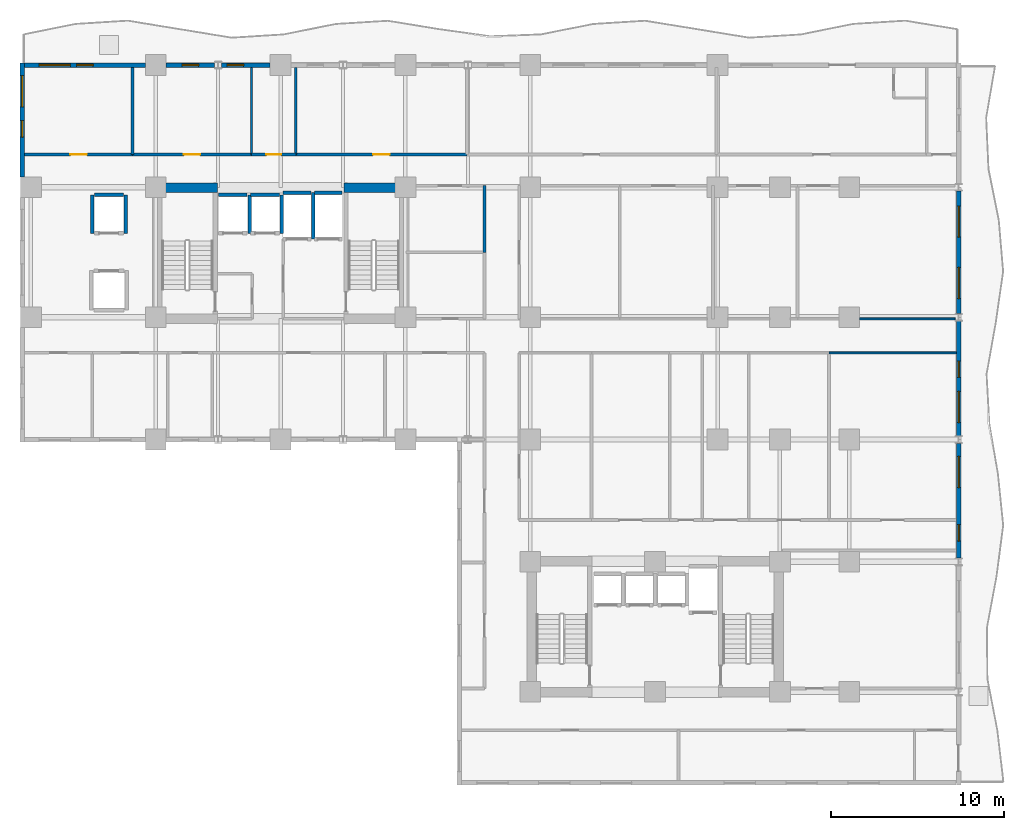
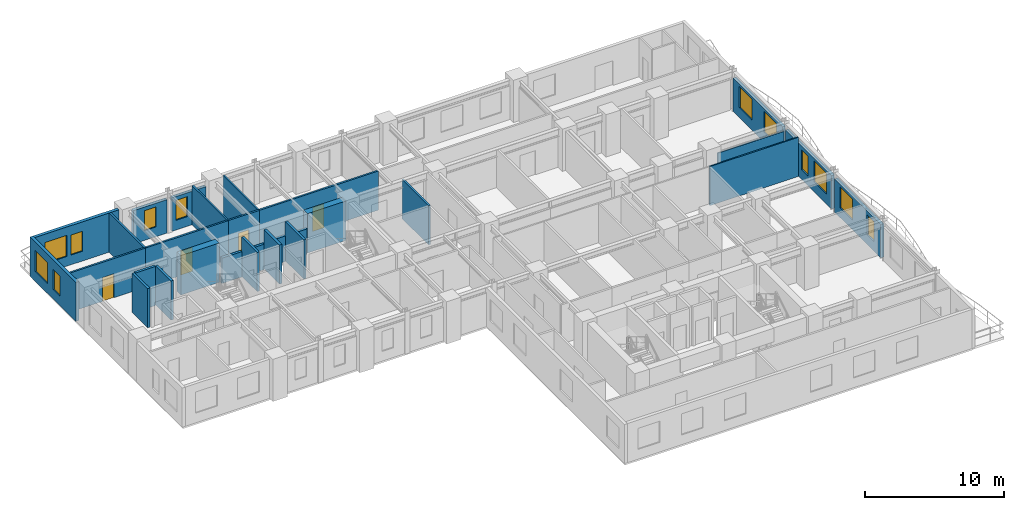
# One storey, part 6 of 11: 29 walls, 12 windows, 4 doors, 16 openings.
"""IFC4 building model written with IfcOpenShell, lengths in metres."""

from ifc_helpers import new_model, si_unit, direction, frame, frame_2d, origin, place, context, subcontext, project, spatial, rectangle, extrude, material, layer, layer_set, type_object, element, fill, save


model = new_model("IFC4")

# Units and contexts
model_context = context("Model", 3, precision=1e-05, world=origin(), true_north=direction((0.0, 1.0)))
body_context = subcontext(model_context, "Body", "Model", "MODEL_VIEW")
ifc_project = project(units=[si_unit("LENGTHUNIT", "METRE"), si_unit("AREAUNIT", "SQUARE_METRE"), si_unit("VOLUMEUNIT", "CUBIC_METRE"), si_unit("PLANEANGLEUNIT", "RADIAN"), si_unit("MASSUNIT", "GRAM", prefix="KILO")], contexts=[model_context])

# Site, building, storey
site_placement = place(None, origin())
site = spatial("IfcSite", under=ifc_project, at=site_placement, CompositionType="ELEMENT")
building_placement = place(site_placement, origin())
building = spatial("IfcBuilding", under=site, at=building_placement, Name="Kaliganga Portal Commons", CompositionType="ELEMENT")
storey_placement = place(building_placement, frame((0.0, 0.0, 86.0)))
storey = spatial("IfcBuildingStorey", under=building, at=storey_placement, Name="L21", CompositionType="ELEMENT", Elevation=86.0)

# Walls
ifc_material_1 = material(Name="Concrete C60/75", Category="concrete")
ifc_layer_1 = layer(ifc_material_1, 0.550048828125)
ifc_layer_set_1 = layer_set([ifc_layer_1], Name="Concrete C60/75")
wall_type_1 = type_object("IfcWallType", Name="WL-CORE-550", PredefinedType="SHEAR", material=ifc_layer_set_1)
for number, where, z_axis, x_axis, name in (
    (1, (14.75, 36.125, 0.0), (0.0, 0.0, 1.0), (1.0, 0.0, 0.0), "Core A N-West Shear Wall L21"),
    (2, (25.25, 36.125, 0.0), (0.0, 0.0, 1.0), (1.0, 0.0, 0.0), "Core A N-East Shear Wall L21"),
):
    element("IfcWall", number, at=place(storey_placement, frame(where, z_axis=z_axis, x_axis=x_axis)), inside=storey, type_object=wall_type_1, Name=name, PredefinedType="SHEAR", context=body_context, shape_type="SweptSolid", body=[
        extrude(rectangle(XDim=3.199951171875, YDim=0.550048828125, at=frame_2d((1.60009765625, 0.0))), origin(), (0.0, 0.0, 1.0), 3.449951171875),
    ])

# Wall, openings, windows
ifc_material_2 = material(Name="Insulated Aluminium-Clad Spandrel Assembly", Category="aluminium")
ifc_layer_2 = layer(ifc_material_2, 0.260009765625)
ifc_layer_set_2 = layer_set([ifc_layer_2], Name="Insulated Aluminium-Clad Spandrel Assembly")
wall_type_2 = type_object("IfcWallType", Name="WL-EXT-SPAND-260", PredefinedType="STANDARD", material=ifc_layer_set_2)
wall_1_placement = place(storey_placement, frame((60.699951171875, 21.384033203125, 0.0), z_axis=(0.0, 0.0, 1.0), x_axis=(0.0, -1.0, 0.0)))
wall_1 = element("IfcWall", 3, at=wall_1_placement, inside=storey, type_object=wall_type_2, Name="Exterior Envelope Wall L21 P1-E01-S3", PredefinedType="STANDARD", context=body_context, shape_type="SweptSolid", body=[
    extrude(rectangle(XDim=6.617919921875, YDim=0.260009765625, at=frame_2d((3.30908203125, 0.0))), origin(), (0.0, 0.0, 1.0), 2.929931640625),
])
opening_1_placement = place(wall_1_placement, frame((0.75439453125, 0.0, 0.85009765625)))
opening_1 = element("IfcOpeningElement", 4, at=opening_1_placement, cuts=wall_1, Name="Opening W-01", PredefinedType="OPENING", context=body_context, shape_type="SweptSolid", body=[
    extrude(rectangle(XDim=1.800048828125, YDim=1.85009765625, at=frame_2d((0.89990234375, 0.925048828125))), frame((0.0, 0.14013671875, 0.0), z_axis=(0.0, -1.0, 0.0), x_axis=(1.0, 0.0, 0.0)), (0.0, 0.0, 1.0), 0.280029296875),
])
opening_2_placement = place(wall_1_placement, frame((4.68701171875, 0.0, 0.85009765625)))
opening_2 = element("IfcOpeningElement", 5, at=opening_2_placement, cuts=wall_1, Name="Opening W-04", PredefinedType="OPENING", context=body_context, shape_type="SweptSolid", body=[
    extrude(rectangle(XDim=0.949951171875, YDim=1.75, at=frame_2d((0.47509765625, 0.875))), frame((0.0, 0.14013671875, 0.0), z_axis=(0.0, -1.0, 0.0), x_axis=(1.0, 0.0, 0.0)), (0.0, 0.0, 1.0), 0.280029296875),
])
ifc_material_3 = material(Name="Thermally Broken Aluminium and Low-E Double Glazing", Category="aluminium")
window_type_1 = type_object("IfcWindowType", Name="WIN-NARROW-950", PartitioningType="SINGLE_PANEL", PredefinedType="WINDOW", material=ifc_material_3)
window_1_placement = place(opening_2_placement, origin())
window_1 = element("IfcWindow", 6, at=window_1_placement, inside=storey, type_object=window_type_1, Name="Facade Window L21-P1E01S3-N10", OverallHeight=1.75, OverallWidth=0.949951171875, PartitioningType="SINGLE_PANEL", PredefinedType="WINDOW", context=body_context, shape_type="SweptSolid", body=[
    extrude(rectangle(XDim=0.949951171875, YDim=1.75, at=frame_2d((0.47509765625, 0.875))), frame((0.0, 0.030029296875, 0.0), z_axis=(0.0, -1.0, 0.0), x_axis=(1.0, 0.0, 0.0)), (0.0, 0.0, 1.0), 0.06005859375),
])
fill(opening_2, window_1)
window_type_2 = type_object("IfcWindowType", Name="WIN-STD-1800", PartitioningType="DOUBLE_PANEL_VERTICAL", PredefinedType="WINDOW", material=ifc_material_3)
window_2_placement = place(opening_1_placement, origin())
window_2 = element("IfcWindow", 7, at=window_2_placement, inside=storey, type_object=window_type_2, Name="Facade Window L21-P1E01S3-00", OverallHeight=1.85009765625, OverallWidth=1.800048828125, PartitioningType="SINGLE_PANEL", PredefinedType="WINDOW", context=body_context, shape_type="SweptSolid", body=[
    extrude(rectangle(XDim=1.800048828125, YDim=1.85009765625, at=frame_2d((0.89990234375, 0.925048828125))), frame((0.0, 0.030029296875, 0.0), z_axis=(0.0, -1.0, 0.0), x_axis=(1.0, 0.0, 0.0)), (0.0, 0.0, 1.0), 0.06005859375),
])
fill(opening_1, window_2)

wall_2_placement = place(storey_placement, frame((60.699951171875, 28.43408203125, 0.0), z_axis=(0.0, 0.0, 1.0), x_axis=(0.0, -1.0, 0.0)))
wall_2 = element("IfcWall", 8, at=wall_2_placement, inside=storey, type_object=wall_type_2, Name="Exterior Envelope Wall L21 P1-E01-S4", PredefinedType="STANDARD", context=body_context, shape_type="SweptSolid", body=[
    extrude(rectangle(XDim=6.6181640625, YDim=0.260009765625, at=frame_2d((3.30908203125, 0.0))), origin(), (0.0, 0.0, 1.0), 2.929931640625),
])
opening_3_placement = place(wall_2_placement, frame((4.0634765625, 0.0, 0.85009765625)))
opening_3 = element("IfcOpeningElement", 9, at=opening_3_placement, cuts=wall_2, Name="Opening W-01", PredefinedType="OPENING", context=body_context, shape_type="SweptSolid", body=[
    extrude(rectangle(XDim=1.800048828125, YDim=1.85009765625, at=frame_2d((0.89990234375, 0.925048828125))), frame((0.0, 0.14013671875, 0.0), z_axis=(0.0, -1.0, 0.0), x_axis=(1.0, 0.0, 0.0)), (0.0, 0.0, 1.0), 0.280029296875),
])
opening_4_placement = place(wall_2_placement, frame((2.3046875, 0.0, 0.85009765625)))
opening_4 = element("IfcOpeningElement", 10, at=opening_4_placement, cuts=wall_2, Name="Opening W-04", PredefinedType="OPENING", context=body_context, shape_type="SweptSolid", body=[
    extrude(rectangle(XDim=0.949951171875, YDim=1.75, at=frame_2d((0.47509765625, 0.875))), frame((0.0, 0.14013671875, 0.0), z_axis=(0.0, -1.0, 0.0), x_axis=(1.0, 0.0, 0.0)), (0.0, 0.0, 1.0), 0.280029296875),
])
window_3_placement = place(opening_4_placement, origin())
window_3 = element("IfcWindow", 11, at=window_3_placement, inside=storey, type_object=window_type_1, Name="Facade Window L21-P1E01S4-N5", OverallHeight=1.75, OverallWidth=0.949951171875, PartitioningType="SINGLE_PANEL", PredefinedType="WINDOW", context=body_context, shape_type="SweptSolid", body=[
    extrude(rectangle(XDim=0.949951171875, YDim=1.75, at=frame_2d((0.47509765625, 0.875))), frame((0.0, 0.030029296875, 0.0), z_axis=(0.0, -1.0, 0.0), x_axis=(1.0, 0.0, 0.0)), (0.0, 0.0, 1.0), 0.06005859375),
])
fill(opening_4, window_3)
window_4_placement = place(opening_3_placement, origin())
window_4 = element("IfcWindow", 12, at=window_4_placement, inside=storey, type_object=window_type_2, Name="Facade Window L21-P1E01S4-01", OverallHeight=1.85009765625, OverallWidth=1.800048828125, PartitioningType="SINGLE_PANEL", PredefinedType="WINDOW", context=body_context, shape_type="SweptSolid", body=[
    extrude(rectangle(XDim=1.800048828125, YDim=1.85009765625, at=frame_2d((0.89990234375, 0.925048828125))), frame((0.0, 0.030029296875, 0.0), z_axis=(0.0, -1.0, 0.0), x_axis=(1.0, 0.0, 0.0)), (0.0, 0.0, 1.0), 0.06005859375),
])
fill(opening_3, window_4)

wall_3_placement = place(storey_placement, frame((60.699951171875, 35.93408203125, 0.0), z_axis=(0.0, 0.0, 1.0), x_axis=(0.0, -1.0, 0.0)))
wall_3 = element("IfcWall", 13, at=wall_3_placement, inside=storey, type_object=wall_type_2, Name="Exterior Envelope Wall L21 P1-E01-S5", PredefinedType="STANDARD", context=body_context, shape_type="SweptSolid", body=[
    extrude(rectangle(XDim=7.068115234375, YDim=0.260009765625, at=frame_2d((3.5341796875, 0.0))), origin(), (0.0, 0.0, 1.0), 2.929931640625),
])
opening_5_placement = place(wall_3_placement, frame((0.866943359375, 0.0, 0.85009765625)))
opening_5 = element("IfcOpeningElement", 14, at=opening_5_placement, cuts=wall_3, Name="Opening W-01", PredefinedType="OPENING", context=body_context, shape_type="SweptSolid", body=[
    extrude(rectangle(XDim=1.800048828125, YDim=1.85009765625, at=frame_2d((0.89990234375, 0.925048828125))), frame((0.0, 0.14013671875, 0.0), z_axis=(0.0, -1.0, 0.0), x_axis=(1.0, 0.0, 0.0)), (0.0, 0.0, 1.0), 0.280029296875),
])
opening_6_placement = place(wall_3_placement, frame((4.40087890625, 0.0, 0.85009765625)))
opening_6 = element("IfcOpeningElement", 15, at=opening_6_placement, cuts=wall_3, Name="Opening W-01", PredefinedType="OPENING", context=body_context, shape_type="SweptSolid", body=[
    extrude(rectangle(XDim=1.800048828125, YDim=1.85009765625, at=frame_2d((0.89990234375, 0.925048828125))), frame((0.0, 0.14013671875, 0.0), z_axis=(0.0, -1.0, 0.0), x_axis=(1.0, 0.0, 0.0)), (0.0, 0.0, 1.0), 0.280029296875),
])
window_5_placement = place(opening_5_placement, origin())
window_5 = element("IfcWindow", 16, at=window_5_placement, inside=storey, type_object=window_type_2, Name="Facade Window L21-P1E01S5-00", OverallHeight=1.85009765625, OverallWidth=1.800048828125, PartitioningType="SINGLE_PANEL", PredefinedType="WINDOW", context=body_context, shape_type="SweptSolid", body=[
    extrude(rectangle(XDim=1.800048828125, YDim=1.85009765625, at=frame_2d((0.89990234375, 0.925048828125))), frame((0.0, 0.030029296875, 0.0), z_axis=(0.0, -1.0, 0.0), x_axis=(1.0, 0.0, 0.0)), (0.0, 0.0, 1.0), 0.06005859375),
])
fill(opening_5, window_5)
window_6_placement = place(opening_6_placement, origin())
window_6 = element("IfcWindow", 17, at=window_6_placement, inside=storey, type_object=window_type_2, Name="Facade Window L21-P1E01S5-01", OverallHeight=1.85009765625, OverallWidth=1.800048828125, PartitioningType="SINGLE_PANEL", PredefinedType="WINDOW", context=body_context, shape_type="SweptSolid", body=[
    extrude(rectangle(XDim=1.800048828125, YDim=1.85009765625, at=frame_2d((0.89990234375, 0.925048828125))), frame((0.0, 0.030029296875, 0.0), z_axis=(0.0, -1.0, 0.0), x_axis=(1.0, 0.0, 0.0)), (0.0, 0.0, 1.0), 0.06005859375),
])
fill(opening_6, window_6)

# Wall, opening, window
wall_4_placement = place(storey_placement, frame((18.20556640625, 43.199951171875, 0.0), z_axis=(0.0, 0.0, 1.0), x_axis=(1.0, 0.0, 0.0)))
wall_4 = element("IfcWall", 18, at=wall_4_placement, inside=storey, type_object=wall_type_2, Name="Exterior Envelope Wall L21 P1-E02-S7", PredefinedType="STANDARD", context=body_context, shape_type="SweptSolid", body=[
    extrude(rectangle(XDim=2.79345703125, YDim=0.260009765625, at=frame_2d((1.396728515625, 0.0))), origin(), (0.0, 0.0, 1.0), 2.929931640625),
])
opening_7_placement = place(wall_4_placement, frame((0.30712890625, 0.0, 0.85009765625)))
opening_7 = element("IfcOpeningElement", 19, at=opening_7_placement, cuts=wall_4, Name="Opening W-04", PredefinedType="OPENING", context=body_context, shape_type="SweptSolid", body=[
    extrude(rectangle(XDim=0.949951171875, YDim=1.75, at=frame_2d((0.47509765625, 0.875))), frame((0.0, 0.14013671875, 0.0), z_axis=(0.0, -1.0, 0.0), x_axis=(1.0, 0.0, 0.0)), (0.0, 0.0, 1.0), 0.280029296875),
])
window_7_placement = place(opening_7_placement, origin())
window_7 = element("IfcWindow", 20, at=window_7_placement, inside=storey, type_object=window_type_1, Name="Facade Window L21-P1E02S7-N3", OverallHeight=1.75, OverallWidth=0.949951171875, PartitioningType="SINGLE_PANEL", PredefinedType="WINDOW", context=body_context, shape_type="SweptSolid", body=[
    extrude(rectangle(XDim=0.949951171875, YDim=1.75, at=frame_2d((0.47509765625, 0.875))), frame((0.0, 0.030029296875, 0.0), z_axis=(0.0, -1.0, 0.0), x_axis=(1.0, 0.0, 0.0)), (0.0, 0.0, 1.0), 0.06005859375),
])
fill(opening_7, window_7)

wall_5_placement = place(storey_placement, frame((15.0009765625, 43.199951171875, 0.0), z_axis=(0.0, 0.0, 1.0), x_axis=(1.0, 0.0, 0.0)))
wall_5 = element("IfcWall", 21, at=wall_5_placement, inside=storey, type_object=wall_type_2, Name="Exterior Envelope Wall L21 P1-E02-S8", PredefinedType="STANDARD", context=body_context, shape_type="SweptSolid", body=[
    extrude(rectangle(XDim=2.79345703125, YDim=0.260009765625, at=frame_2d((1.396728515625, 0.0))), origin(), (0.0, 0.0, 1.0), 2.929931640625),
])
opening_8_placement = place(wall_5_placement, frame((0.921630859375, 0.0, 0.85009765625)))
opening_8 = element("IfcOpeningElement", 22, at=opening_8_placement, cuts=wall_5, Name="Opening W-04", PredefinedType="OPENING", context=body_context, shape_type="SweptSolid", body=[
    extrude(rectangle(XDim=0.949951171875, YDim=1.75, at=frame_2d((0.47509765625, 0.875))), frame((0.0, 0.14013671875, 0.0), z_axis=(0.0, -1.0, 0.0), x_axis=(1.0, 0.0, 0.0)), (0.0, 0.0, 1.0), 0.280029296875),
])
window_8_placement = place(opening_8_placement, origin())
window_8 = element("IfcWindow", 23, at=window_8_placement, inside=storey, type_object=window_type_1, Name="Facade Window L21-P1E02S8-00", OverallHeight=1.75, OverallWidth=0.949951171875, PartitioningType="SINGLE_PANEL", PredefinedType="WINDOW", context=body_context, shape_type="SweptSolid", body=[
    extrude(rectangle(XDim=0.949951171875, YDim=1.75, at=frame_2d((0.47509765625, 0.875))), frame((0.0, 0.030029296875, 0.0), z_axis=(0.0, -1.0, 0.0), x_axis=(1.0, 0.0, 0.0)), (0.0, 0.0, 1.0), 0.06005859375),
])
fill(opening_8, window_8)

# Wall, openings, windows
wall_6_placement = place(storey_placement, frame((6.8349609375, 43.199951171875, 0.0), z_axis=(0.0, 0.0, 1.0), x_axis=(1.0, 0.0, 0.0)))
wall_6 = element("IfcWall", 24, at=wall_6_placement, inside=storey, type_object=wall_type_2, Name="Exterior Envelope Wall L21 P1-E02-S9", PredefinedType="STANDARD", context=body_context, shape_type="SweptSolid", body=[
    extrude(rectangle(XDim=6.964111328125, YDim=0.260009765625, at=frame_2d((3.48193359375, 0.0))), origin(), (0.0, 0.0, 1.0), 3.429931640625),
])
opening_9_placement = place(wall_6_placement, frame((0.841064453125, 0.0, 0.85009765625)))
opening_9 = element("IfcOpeningElement", 25, at=opening_9_placement, cuts=wall_6, Name="Opening W-01", PredefinedType="OPENING", context=body_context, shape_type="SweptSolid", body=[
    extrude(rectangle(XDim=1.800048828125, YDim=1.85009765625, at=frame_2d((0.89990234375, 0.925048828125))), frame((0.0, 0.14013671875, 0.0), z_axis=(0.0, -1.0, 0.0), x_axis=(1.0, 0.0, 0.0)), (0.0, 0.0, 1.0), 0.280029296875),
])
opening_10_placement = place(wall_6_placement, frame((3.007080078125, 0.0, 0.85009765625)))
opening_10 = element("IfcOpeningElement", 26, at=opening_10_placement, cuts=wall_6, Name="Opening W-04", PredefinedType="OPENING", context=body_context, shape_type="SweptSolid", body=[
    extrude(rectangle(XDim=0.949951171875, YDim=1.75, at=frame_2d((0.47509765625, 0.875))), frame((0.0, 0.14013671875, 0.0), z_axis=(0.0, -1.0, 0.0), x_axis=(1.0, 0.0, 0.0)), (0.0, 0.0, 1.0), 0.280029296875),
])
window_9_placement = place(opening_10_placement, origin())
window_9 = element("IfcWindow", 27, at=window_9_placement, inside=storey, type_object=window_type_1, Name="Facade Window L21-P1E02S9-N0", OverallHeight=1.75, OverallWidth=0.949951171875, PartitioningType="SINGLE_PANEL", PredefinedType="WINDOW", context=body_context, shape_type="SweptSolid", body=[
    extrude(rectangle(XDim=0.949951171875, YDim=1.75, at=frame_2d((0.47509765625, 0.875))), frame((0.0, 0.030029296875, 0.0), z_axis=(0.0, -1.0, 0.0), x_axis=(1.0, 0.0, 0.0)), (0.0, 0.0, 1.0), 0.06005859375),
])
fill(opening_10, window_9)
window_10_placement = place(opening_9_placement, origin())
window_10 = element("IfcWindow", 28, at=window_10_placement, inside=storey, type_object=window_type_2, Name="Facade Window L21-P1E02S9-00", OverallHeight=1.85009765625, OverallWidth=1.800048828125, PartitioningType="SINGLE_PANEL", PredefinedType="WINDOW", context=body_context, shape_type="SweptSolid", body=[
    extrude(rectangle(XDim=1.800048828125, YDim=1.85009765625, at=frame_2d((0.89990234375, 0.925048828125))), frame((0.0, 0.030029296875, 0.0), z_axis=(0.0, -1.0, 0.0), x_axis=(1.0, 0.0, 0.0)), (0.0, 0.0, 1.0), 0.06005859375),
])
fill(opening_9, window_10)

wall_7_placement = place(storey_placement, frame((6.699951171875, 36.7509765625, 0.0), z_axis=(0.0, 0.0, 1.0), x_axis=(0.0, 1.0, 0.0)))
wall_7 = element("IfcWall", 29, at=wall_7_placement, inside=storey, type_object=wall_type_2, Name="Exterior Envelope Wall L21 P1-E03-S1", PredefinedType="STANDARD", context=body_context, shape_type="SweptSolid", body=[
    extrude(rectangle(XDim=6.5791015625, YDim=0.260009765625, at=frame_2d((3.28955078125, 0.0))), origin(), (0.0, 0.0, 1.0), 3.429931640625),
])
opening_11_placement = place(wall_7_placement, frame((4.0341796875, 0.0, 0.85009765625)))
opening_11 = element("IfcOpeningElement", 30, at=opening_11_placement, cuts=wall_7, Name="Opening W-01", PredefinedType="OPENING", context=body_context, shape_type="SweptSolid", body=[
    extrude(rectangle(XDim=1.800048828125, YDim=1.85009765625, at=frame_2d((0.89990234375, 0.925048828125))), frame((0.0, 0.14013671875, 0.0), z_axis=(0.0, -1.0, 0.0), x_axis=(1.0, 0.0, 0.0)), (0.0, 0.0, 1.0), 0.280029296875),
])
opening_12_placement = place(wall_7_placement, frame((2.2880859375, 0.0, 0.85009765625)))
opening_12 = element("IfcOpeningElement", 31, at=opening_12_placement, cuts=wall_7, Name="Opening W-04", PredefinedType="OPENING", context=body_context, shape_type="SweptSolid", body=[
    extrude(rectangle(XDim=0.949951171875, YDim=1.75, at=frame_2d((0.47509765625, 0.875))), frame((0.0, 0.14013671875, 0.0), z_axis=(0.0, -1.0, 0.0), x_axis=(1.0, 0.0, 0.0)), (0.0, 0.0, 1.0), 0.280029296875),
])
window_11_placement = place(opening_12_placement, origin())
window_11 = element("IfcWindow", 32, at=window_11_placement, inside=storey, type_object=window_type_1, Name="Facade Window L21-P1E03S1-N5", OverallHeight=1.75, OverallWidth=0.949951171875, PartitioningType="SINGLE_PANEL", PredefinedType="WINDOW", context=body_context, shape_type="SweptSolid", body=[
    extrude(rectangle(XDim=0.949951171875, YDim=1.75, at=frame_2d((0.47509765625, 0.875))), frame((0.0, 0.030029296875, 0.0), z_axis=(0.0, -1.0, 0.0), x_axis=(1.0, 0.0, 0.0)), (0.0, 0.0, 1.0), 0.06005859375),
])
fill(opening_12, window_11)
window_12_placement = place(opening_11_placement, origin())
window_12 = element("IfcWindow", 33, at=window_12_placement, inside=storey, type_object=window_type_2, Name="Facade Window L21-P1E03S1-01", OverallHeight=1.85009765625, OverallWidth=1.800048828125, PartitioningType="SINGLE_PANEL", PredefinedType="WINDOW", context=body_context, shape_type="SweptSolid", body=[
    extrude(rectangle(XDim=1.800048828125, YDim=1.85009765625, at=frame_2d((0.89990234375, 0.925048828125))), frame((0.0, 0.030029296875, 0.0), z_axis=(0.0, -1.0, 0.0), x_axis=(1.0, 0.0, 0.0)), (0.0, 0.0, 1.0), 0.06005859375),
])
fill(opening_11, window_12)

# Wall, opening, door
ifc_material_4 = material(Name="Fire-Rated Gypsum Board on Steel Stud", Category="steel")
ifc_layer_3 = layer(ifc_material_4, 0.14990234375)
ifc_layer_set_3 = layer_set([ifc_layer_3], Name="Fire-Rated Gypsum Board on Steel Stud")
wall_type_3 = type_object("IfcWallType", Name="WL-PART-CORR-150", PredefinedType="PARTITIONING", material=ifc_layer_set_3)
wall_8_placement = place(storey_placement, frame((22.47998046875, 38.0400390625, 0.0), z_axis=(0.0, 0.0, 1.0), x_axis=(1.0, 0.0, 0.0)))
wall_8 = element("IfcWall", 34, at=wall_8_placement, inside=storey, type_object=wall_type_3, Name="Interior Partition L21-012", PredefinedType="PARTITIONING", context=body_context, shape_type="SweptSolid", body=[
    extrude(rectangle(XDim=9.860107421875, YDim=0.14990234375, at=frame_2d((4.93017578125, 0.0))), origin(), (0.0, 0.0, 1.0), 3.429931640625),
])
opening_13_placement = place(wall_8_placement, frame((4.455078125, 0.0, 0.0)))
opening_13 = element("IfcOpeningElement", 35, at=opening_13_placement, cuts=wall_8, Name="Opening UD-01", PredefinedType="OPENING", context=body_context, shape_type="SweptSolid", body=[
    extrude(rectangle(XDim=0.949951171875, YDim=2.10009765625, at=frame_2d((0.47509765625, 1.050048828125))), frame((0.0, 0.0849609375, 0.0), z_axis=(0.0, -1.0, 0.0), x_axis=(1.0, 0.0, 0.0)), (0.0, 0.0, 1.0), 0.169921875),
])
ifc_material_5 = material(Name="Solid-Core Timber Acoustic Fire Door", Category="wood")
door_type_1 = type_object("IfcDoorType", Name="DR-UNIT-950", OperationType="NOTDEFINED", PredefinedType="DOOR", material=ifc_material_5)
door_1_placement = place(opening_13_placement, origin())
door_1 = element("IfcDoor", 36, at=door_1_placement, inside=storey, type_object=door_type_1, Name="Interior Door L21-AN04", OperationType="SINGLE_SWING_LEFT", OverallHeight=2.10009765625, OverallWidth=0.949951171875, PredefinedType="DOOR", context=body_context, shape_type="SweptSolid", body=[
    extrude(rectangle(XDim=0.949951171875, YDim=2.10009765625, at=frame_2d((0.47509765625, 1.050048828125))), frame((0.0, 0.02490234375, 0.0), z_axis=(0.0, -1.0, 0.0), x_axis=(1.0, 0.0, 0.0)), (0.0, 0.0, 1.0), 0.050048828125),
])
fill(opening_13, door_1)

wall_9_placement = place(storey_placement, frame((13.06005859375, 38.0400390625, 0.0), z_axis=(0.0, 0.0, 1.0), x_axis=(1.0, 0.0, 0.0)))
wall_9 = element("IfcWall", 37, at=wall_9_placement, inside=storey, type_object=wall_type_3, Name="Interior Partition L21-020", PredefinedType="PARTITIONING", context=body_context, shape_type="SweptSolid", body=[
    extrude(rectangle(XDim=6.85986328125, YDim=0.14990234375, at=frame_2d((3.429931640625, 0.0))), origin(), (0.0, 0.0, 1.0), 3.429931640625),
])
opening_14_placement = place(wall_9_placement, frame((2.955078125, 0.0, 0.0)))
opening_14 = element("IfcOpeningElement", 38, at=opening_14_placement, cuts=wall_9, Name="Opening UD-01", PredefinedType="OPENING", context=body_context, shape_type="SweptSolid", body=[
    extrude(rectangle(XDim=0.949951171875, YDim=2.10009765625, at=frame_2d((0.47509765625, 1.050048828125))), frame((0.0, 0.0849609375, 0.0), z_axis=(0.0, -1.0, 0.0), x_axis=(1.0, 0.0, 0.0)), (0.0, 0.0, 1.0), 0.169921875),
])
door_2_placement = place(opening_14_placement, origin())
door_2 = element("IfcDoor", 39, at=door_2_placement, inside=storey, type_object=door_type_1, Name="Interior Door L21-AN02", OperationType="SINGLE_SWING_RIGHT", OverallHeight=2.10009765625, OverallWidth=0.949951171875, PredefinedType="DOOR", context=body_context, shape_type="SweptSolid", body=[
    extrude(rectangle(XDim=0.949951171875, YDim=2.10009765625, at=frame_2d((0.47509765625, 1.050048828125))), frame((0.0, 0.02490234375, 0.0), z_axis=(0.0, -1.0, 0.0), x_axis=(1.0, 0.0, 0.0)), (0.0, 0.0, 1.0), 0.050048828125),
])
fill(opening_14, door_2)

wall_10_placement = place(storey_placement, frame((6.83203125, 38.0400390625, 0.0), z_axis=(0.0, 0.0, 1.0), x_axis=(1.0, 0.0, 0.0)))
wall_10 = element("IfcWall", 40, at=wall_10_placement, inside=storey, type_object=wall_type_3, Name="Interior Partition L21-021", PredefinedType="PARTITIONING", context=body_context, shape_type="SweptSolid", body=[
    extrude(rectangle(XDim=6.22802734375, YDim=0.14990234375, at=frame_2d((3.114013671875, 0.0))), origin(), (0.0, 0.0, 1.0), 3.429931640625),
])
opening_15_placement = place(wall_10_placement, frame((2.638916015625, 0.0, 0.0)))
opening_15 = element("IfcOpeningElement", 41, at=opening_15_placement, cuts=wall_10, Name="Opening UD-01", PredefinedType="OPENING", context=body_context, shape_type="SweptSolid", body=[
    extrude(rectangle(XDim=0.949951171875, YDim=2.10009765625, at=frame_2d((0.47509765625, 1.050048828125))), frame((0.0, 0.0849609375, 0.0), z_axis=(0.0, -1.0, 0.0), x_axis=(1.0, 0.0, 0.0)), (0.0, 0.0, 1.0), 0.169921875),
])
door_3_placement = place(opening_15_placement, origin())
door_3 = element("IfcDoor", 42, at=door_3_placement, inside=storey, type_object=door_type_1, Name="Interior Door L21-AN01", OperationType="SINGLE_SWING_LEFT", OverallHeight=2.10009765625, OverallWidth=0.949951171875, PredefinedType="DOOR", context=body_context, shape_type="SweptSolid", body=[
    extrude(rectangle(XDim=0.949951171875, YDim=2.10009765625, at=frame_2d((0.47509765625, 1.050048828125))), frame((0.0, 0.02490234375, 0.0), z_axis=(0.0, -1.0, 0.0), x_axis=(1.0, 0.0, 0.0)), (0.0, 0.0, 1.0), 0.050048828125),
])
fill(opening_15, door_3)

# Wall
wall_11_placement = place(storey_placement, frame((33.360107421875, 32.39990234375, 0.0), z_axis=(0.0, 0.0, 1.0), x_axis=(0.0, 1.0, 0.0)))
element("IfcWall", 43, at=wall_11_placement, inside=storey, type_object=wall_type_3, Name="Interior Partition L21-035", PredefinedType="PARTITIONING", context=body_context, shape_type="SweptSolid", body=[
    extrude(rectangle(XDim=3.840087890625, YDim=0.14990234375, at=frame_2d((1.919921875, 0.0))), origin(), (0.0, 0.0, 1.0), 3.429931640625),
])

# Wall, opening, door
wall_12_placement = place(storey_placement, frame((19.919921875, 38.0400390625, 0.0), z_axis=(0.0, 0.0, 1.0), x_axis=(1.0, 0.0, 0.0)))
wall_12 = element("IfcWall", 44, at=wall_12_placement, inside=storey, type_object=wall_type_3, Name="Interior Partition L21-040", PredefinedType="PARTITIONING", context=body_context, shape_type="SweptSolid", body=[
    extrude(rectangle(XDim=2.56005859375, YDim=0.14990234375, at=frame_2d((1.280029296875, 0.0))), origin(), (0.0, 0.0, 1.0), 3.429931640625),
])
opening_16_placement = place(wall_12_placement, frame((0.85498046875, 0.0, 0.0)))
opening_16 = element("IfcOpeningElement", 45, at=opening_16_placement, cuts=wall_12, Name="Opening WD-01", PredefinedType="OPENING", context=body_context, shape_type="SweptSolid", body=[
    extrude(rectangle(XDim=0.85009765625, YDim=2.0400390625, at=frame_2d((0.425048828125, 1.02001953125))), frame((0.0, 0.0849609375, 0.0), z_axis=(0.0, -1.0, 0.0), x_axis=(1.0, 0.0, 0.0)), (0.0, 0.0, 1.0), 0.169921875),
])
ifc_material_6 = material(Name="Moisture-Resistant Laminate Timber Door", Category="wood")
door_type_2 = type_object("IfcDoorType", Name="DR-WET-850", OperationType="NOTDEFINED", PredefinedType="DOOR", material=ifc_material_6)
door_4_placement = place(opening_16_placement, origin())
door_4 = element("IfcDoor", 46, at=door_4_placement, inside=storey, type_object=door_type_2, Name="Interior Door L21-AN03", OperationType="SINGLE_SWING_RIGHT", OverallHeight=2.0400390625, OverallWidth=0.85009765625, PredefinedType="DOOR", context=body_context, shape_type="SweptSolid", body=[
    extrude(rectangle(XDim=0.85009765625, YDim=2.0400390625, at=frame_2d((0.425048828125, 1.02001953125))), frame((0.0, 0.02490234375, 0.0), z_axis=(0.0, -1.0, 0.0), x_axis=(1.0, 0.0, 0.0)), (0.0, 0.0, 1.0), 0.050048828125),
])
fill(opening_16, door_4)

# Walls
ifc_material_7 = material(Name="Moisture-Resistant Gypsum Partition", Category="gypsum")
ifc_layer_4 = layer(ifc_material_7, 0.114990234375)
ifc_layer_set_4 = layer_set([ifc_layer_4], Name="Moisture-Resistant Gypsum Partition")
wall_type_4 = type_object("IfcWallType", Name="WL-PART-ROOM-115", PredefinedType="PARTITIONING", material=ifc_layer_set_4)
wall_13_placement = place(storey_placement, frame((55.0, 28.56005859375, 0.0), z_axis=(0.0, 0.0, 1.0), x_axis=(1.0, 0.0, 0.0)))
element("IfcWall", 47, at=wall_13_placement, inside=storey, type_object=wall_type_4, Name="Interior Partition L21-053", PredefinedType="PARTITIONING", context=body_context, shape_type="SweptSolid", body=[
    extrude(rectangle(XDim=5.49560546875, YDim=0.114990234375, at=frame_2d((2.747802734375, 0.0))), origin(), (0.0, 0.0, 1.0), 2.780029296875),
])
wall_14_placement = place(storey_placement, frame((53.219970703125, 26.60009765625, 0.0), z_axis=(0.0, 0.0, 1.0), x_axis=(1.0, 0.0, 0.0)))
element("IfcWall", 48, at=wall_14_placement, inside=storey, type_object=wall_type_4, Name="Interior Partition L21-057", PredefinedType="PARTITIONING", context=body_context, shape_type="SweptSolid", body=[
    extrude(rectangle(XDim=7.34814453125, YDim=0.114990234375, at=frame_2d((3.674072265625, 0.0))), origin(), (0.0, 0.0, 1.0), 3.429931640625),
])
ifc_material_8 = material(Name="Twin-Stud Acoustic Gypsum Partition", Category="gypsum")
ifc_layer_5 = layer(ifc_material_8, 0.1650390625)
ifc_layer_set_5 = layer_set([ifc_layer_5], Name="Twin-Stud Acoustic Gypsum Partition")
wall_type_5 = type_object("IfcWallType", Name="WL-PART-UNIT-165", PredefinedType="PARTITIONING", material=ifc_layer_set_5)
wall_15_placement = place(storey_placement, frame((13.06005859375, 38.0400390625, 0.0), z_axis=(0.0, 0.0, 1.0), x_axis=(0.0, 1.0, 0.0)))
element("IfcWall", 49, at=wall_15_placement, inside=storey, type_object=wall_type_5, Name="Interior Partition L21-060", PredefinedType="PARTITIONING", context=body_context, shape_type="SweptSolid", body=[
    extrude(rectangle(XDim=5.028076171875, YDim=0.1650390625, at=frame_2d((2.51416015625, 0.0))), origin(), (0.0, 0.0, 1.0), 3.429931640625),
])
ifc_material_9 = material(Name="Cement-Board Wet-Room Partition", Category="gypsum")
ifc_layer_6 = layer(ifc_material_9, 0.135009765625)
ifc_layer_set_6 = layer_set([ifc_layer_6], Name="Cement-Board Wet-Room Partition")
wall_type_6 = type_object("IfcWallType", Name="WL-PART-WET-135", PredefinedType="PARTITIONING", material=ifc_layer_set_6)
for number, where, z_axis, x_axis, name in (
    (50, (19.919921875, 38.0400390625, 0.0), (0.0, 0.0, 1.0), (0.0, 1.0, 0.0), "Interior Partition L21-061"),
    (51, (22.47998046875, 38.0400390625, 0.0), (0.0, 0.0, 1.0), (0.0, 1.0, 0.0), "Interior Partition L21-062"),
):
    element("IfcWall", number, at=place(storey_placement, frame(where, z_axis=z_axis, x_axis=x_axis)), inside=storey, type_object=wall_type_6, Name=name, PredefinedType="PARTITIONING", context=body_context, shape_type="SweptSolid", body=[
        extrude(rectangle(XDim=5.028076171875, YDim=0.135009765625, at=frame_2d((2.51416015625, 0.0))), origin(), (0.0, 0.0, 1.0), 3.429931640625),
    ])
ifc_material_10 = material(Name="Fire-Rated Shaftwall Masonry Assembly", Category="masonry")
ifc_layer_7 = layer(ifc_material_10, 0.199951171875)
ifc_layer_set_7 = layer_set([ifc_layer_7], Name="Fire-Rated Shaftwall Masonry Assembly")
wall_type_7 = type_object("IfcWallType", Name="WL-SHAFT-200", PredefinedType="PARTITIONING", material=ifc_layer_set_7)
wall_16_placement = place(storey_placement, frame((18.02490234375, 35.715087890625, 0.0), z_axis=(0.0, 0.0, 1.0), x_axis=(1.0, 0.0, 0.0)))
element("IfcWall", 52, at=wall_16_placement, inside=storey, type_object=wall_type_7, Name="Lift PL-A1 Hoistway Shaft Wall L21-N", PredefinedType="PARTITIONING", context=body_context, shape_type="SweptSolid", body=[
    extrude(rectangle(XDim=1.650146484375, YDim=0.199951171875, at=frame_2d((0.8251953125, 0.0))), origin(), (0.0, 0.0, 1.0), 2.22998046875),
])
wall_17_placement = place(storey_placement, frame((19.81494140625, 33.485107421875, 0.0), z_axis=(0.0, 0.0, 1.0), x_axis=(0.0, 1.0, 0.0)))
element("IfcWall", 53, at=wall_17_placement, inside=storey, type_object=wall_type_7, Name="Lift PL-A1 Hoistway Shaft Wall L21-E", PredefinedType="PARTITIONING", context=body_context, shape_type="SweptSolid", body=[
    extrude(rectangle(XDim=2.22998046875, YDim=0.199951171875, at=frame_2d((1.114990234375, 0.0))), origin(), (0.0, 0.0, 1.0), 3.429931640625),
])
wall_18_placement = place(storey_placement, frame((19.875, 35.715087890625, 0.0), z_axis=(0.0, 0.0, 1.0), x_axis=(1.0, 0.0, 0.0)))
element("IfcWall", 54, at=wall_18_placement, inside=storey, type_object=wall_type_7, Name="Lift PL-A2 Hoistway Shaft Wall L21-N", PredefinedType="PARTITIONING", context=body_context, shape_type="SweptSolid", body=[
    extrude(rectangle(XDim=1.64990234375, YDim=0.199951171875, at=frame_2d((0.824951171875, 0.0))), origin(), (0.0, 0.0, 1.0), 2.22998046875),
])
wall_19_placement = place(storey_placement, frame((21.6650390625, 33.485107421875, 0.0), z_axis=(0.0, 0.0, 1.0), x_axis=(0.0, 1.0, 0.0)))
element("IfcWall", 55, at=wall_19_placement, inside=storey, type_object=wall_type_7, Name="Lift PL-A2 Hoistway Shaft Wall L21-E", PredefinedType="PARTITIONING", context=body_context, shape_type="SweptSolid", body=[
    extrude(rectangle(XDim=2.22998046875, YDim=0.199951171875, at=frame_2d((1.114990234375, 0.0))), origin(), (0.0, 0.0, 1.0), 3.429931640625),
])
wall_20_placement = place(storey_placement, frame((10.875, 35.715087890625, 0.0), z_axis=(0.0, 0.0, 1.0), x_axis=(1.0, 0.0, 0.0)))
element("IfcWall", 56, at=wall_20_placement, inside=storey, type_object=wall_type_7, Name="Lift PL-OBS Hoistway Shaft Wall L21-N", PredefinedType="PARTITIONING", context=body_context, shape_type="SweptSolid", body=[
    extrude(rectangle(XDim=1.64990234375, YDim=0.199951171875, at=frame_2d((0.824951171875, 0.0))), origin(), (0.0, 0.0, 1.0), 3.429931640625),
])
for number, where, z_axis, x_axis, name in (
    (57, (10.735107421875, 33.485107421875, 0.0), (0.0, 0.0, 1.0), (0.0, 1.0, 0.0), "Lift PL-OBS Hoistway Shaft Wall L21-W"),
    (58, (12.6650390625, 33.485107421875, 0.0), (0.0, 0.0, 1.0), (0.0, 1.0, 0.0), "Lift PL-OBS Hoistway Shaft Wall L21-E"),
):
    element("IfcWall", number, at=place(storey_placement, frame(where, z_axis=z_axis, x_axis=x_axis)), inside=storey, type_object=wall_type_7, Name=name, PredefinedType="PARTITIONING", context=body_context, shape_type="SweptSolid", body=[
        extrude(rectangle(XDim=2.22998046875, YDim=0.199951171875, at=frame_2d((1.114990234375, 0.0))), origin(), (0.0, 0.0, 1.0), 3.429931640625),
    ])
wall_21_placement = place(storey_placement, frame((21.75, 35.840087890625, 0.0), z_axis=(0.0, 0.0, 1.0), x_axis=(1.0, 0.0, 0.0)))
element("IfcWall", 59, at=wall_21_placement, inside=storey, type_object=wall_type_7, Name="Lift FFL-1 Hoistway Shaft Wall L21-N", PredefinedType="PARTITIONING", context=body_context, shape_type="SweptSolid", body=[
    extrude(rectangle(XDim=1.60009765625, YDim=0.199951171875, at=frame_2d((0.800048828125, 0.0))), origin(), (0.0, 0.0, 1.0), 2.22998046875),
])
wall_22_placement = place(storey_placement, frame((23.489990234375, 33.159912109375, 0.0), z_axis=(0.0, 0.0, 1.0), x_axis=(0.0, 1.0, 0.0)))
element("IfcWall", 60, at=wall_22_placement, inside=storey, type_object=wall_type_7, Name="Lift FFL-1 Hoistway Shaft Wall L21-E", PredefinedType="PARTITIONING", context=body_context, shape_type="SweptSolid", body=[
    extrude(rectangle(XDim=2.68017578125, YDim=0.199951171875, at=frame_2d((1.340087890625, 0.0))), origin(), (0.0, 0.0, 1.0), 3.429931640625),
])
wall_23_placement = place(storey_placement, frame((23.550048828125, 35.840087890625, 0.0), z_axis=(0.0, 0.0, 1.0), x_axis=(1.0, 0.0, 0.0)))
element("IfcWall", 61, at=wall_23_placement, inside=storey, type_object=wall_type_7, Name="Lift FFL-2 Hoistway Shaft Wall L21-N", PredefinedType="PARTITIONING", context=body_context, shape_type="SweptSolid", body=[
    extrude(rectangle(XDim=1.599853515625, YDim=0.199951171875, at=frame_2d((0.7998046875, 0.0))), origin(), (0.0, 0.0, 1.0), 2.22998046875),
])

save(model, "model.ifc")
